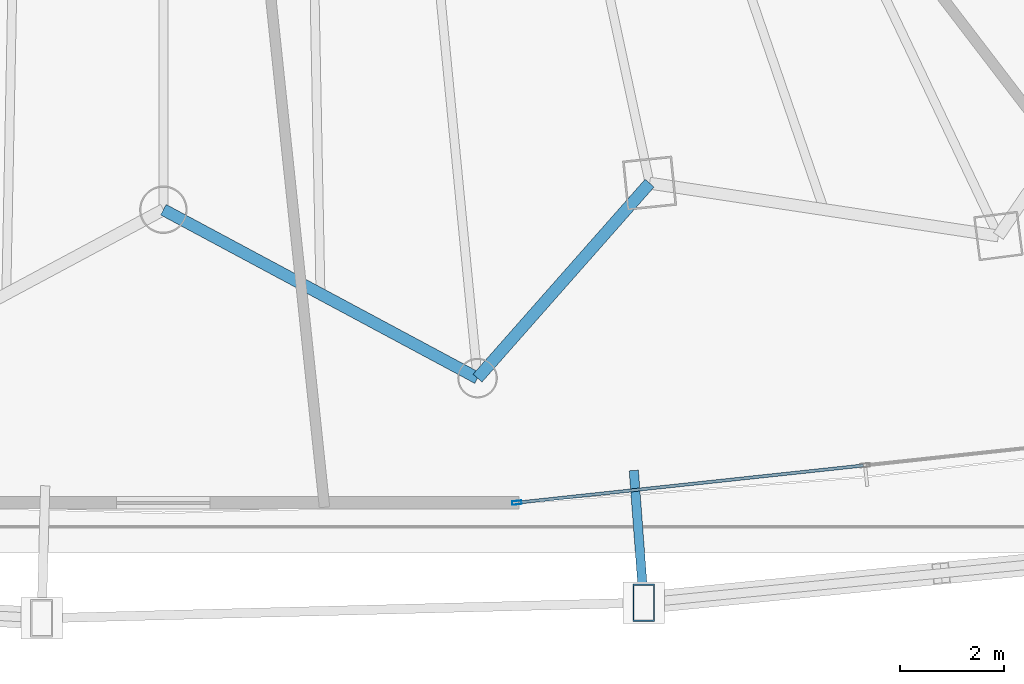
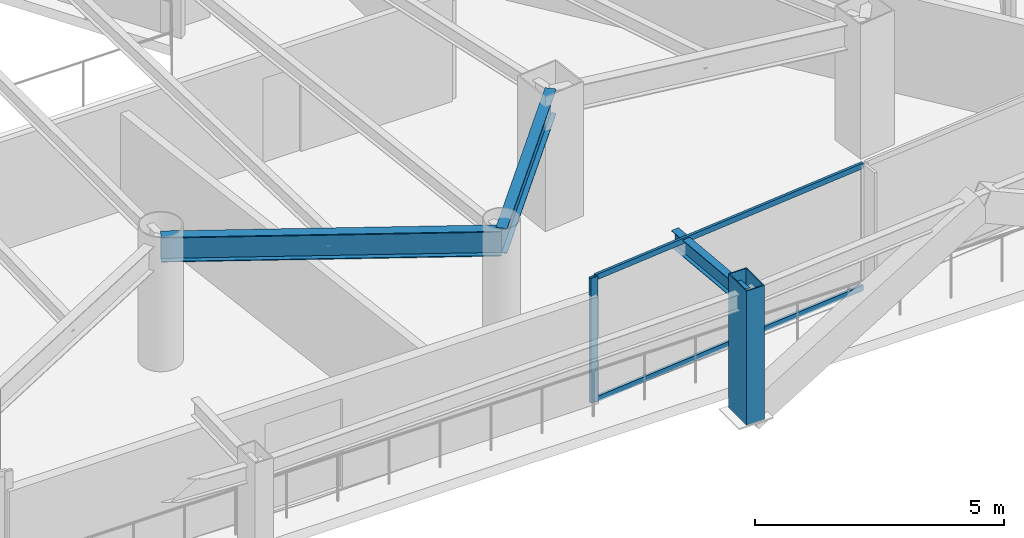
# One storey, part 12 of 36: 4 members, 3 beams, 1 element without a shape of its own.
"""IFC4 building model written with IfcOpenShell, lengths in metres."""

from ifc_helpers import new_model, si_unit, direction, frame, origin, origin_2d, place, context, subcontext, project, spatial, hollow_rectangle, i_section, extrude, material, layer, layer_set, material_profile, profile_set, type_object, element, aggregate, save


model = new_model("IFC4")

# Units and contexts
model_context = context("Model", 3, precision=1e-05, world=origin(), true_north=direction((0.0, 1.0)))
body_context = subcontext(model_context, "Body", "Model", "MODEL_VIEW")
ifc_project = project(units=[si_unit("LENGTHUNIT", "METRE"), si_unit("AREAUNIT", "SQUARE_METRE"), si_unit("VOLUMEUNIT", "CUBIC_METRE"), si_unit("PLANEANGLEUNIT", "RADIAN"), si_unit("MASSUNIT", "GRAM", prefix="KILO")], contexts=[model_context])

# Site, building, storey
site_placement = place(None, origin())
site = spatial("IfcSite", under=ifc_project, at=site_placement, CompositionType="ELEMENT")
building_placement = place(site_placement, origin())
building = spatial("IfcBuilding", under=site, at=building_placement, Name="Orvanel Arch Residences", CompositionType="ELEMENT")
storey_placement = place(building_placement, frame((0.0, 0.0, 23.60009765625)))
storey = spatial("IfcBuildingStorey", under=building, at=storey_placement, Name="L05", CompositionType="ELEMENT", Elevation=23.60009765625)

# Member
ifc_material_1 = material(Name="Structural steel AS/NZS 3678 Grade 350", Category="steel")
ifc_material_profile_1 = material_profile(ifc_material_1, hollow_rectangle(XDim=0.419921875, YDim=0.719970703125, WallThickness=0.02490234375, at=origin_2d()), Name="RHS720x420x25")
ifc_profile_set_1 = profile_set([ifc_material_profile_1], Name="Structural steel AS/NZS 3678 Grade 350")
member_type_1 = type_object("IfcMemberType", Name="CH-720RHS-EXT", PredefinedType="CHORD", material=ifc_profile_set_1)
member_1_placement = place(storey_placement, frame((42.239013671875, -0.714111328125, 0.0), z_axis=(0.0, 0.0, 1.0), x_axis=(1.0, 0.0, 0.0)))
element("IfcMember", 1, at=member_1_placement, inside=storey, type_object=member_type_1, Name="L05 Outer Perimeter Frame Post 07", PredefinedType="CHORD", context=body_context, shape_type="SweptSolid", body=[
    extrude(hollow_rectangle(XDim=0.419921875, YDim=0.719970703125, WallThickness=0.02490234375, at=origin_2d()), origin(), (0.0, 0.0, 1.0), 3.2998046875),
])

# Curtain wall, member
ifc_material_2 = material(Name="Bronze-anodised aluminium AA6063-T6", Category="aluminium")
ifc_layer = layer(ifc_material_2, 0.179931640625)
ifc_layer_set = layer_set([ifc_layer], Name="Bronze-anodised aluminium AA6063-T6")
curtain_wall_type = type_object("IfcCurtainWallType", Name="CW2-LOW-SYS", PredefinedType="NOTDEFINED", material=ifc_layer_set)
curtain_wall_placement = place(storey_placement, origin())
curtain_wall = element("IfcCurtainWall", 2, at=curtain_wall_placement, inside=storey, type_object=curtain_wall_type, Name="L05 CW2-LOW-SYS Unitised Curtain Wall", PredefinedType="NOTDEFINED")
ifc_material_profile_2 = material_profile(ifc_material_2, hollow_rectangle(XDim=0.070068359375, YDim=0.179931640625, WallThickness=0.00439453125, at=origin_2d()), Name="ALU180x70x4.5")
ifc_profile_set_2 = profile_set([ifc_material_profile_2], Name="Bronze-anodised aluminium AA6063-T6")
member_type_2 = type_object("IfcMemberType", Name="MUL-180x70", PredefinedType="MULLION", material=ifc_profile_set_2)
member_2_placement = place(storey_placement, frame((39.798828125, 1.209716796875, 0.0), z_axis=(0.0, 0.0, 1.0), x_axis=(-0.106701765481, 0.994291070685, 0.0)))
member_2 = element("IfcMember", 3, at=member_2_placement, type_object=member_type_2, Name="CW-S2 mullion 1", PredefinedType="MULLION", context=body_context, shape_type="SweptSolid", body=[
    extrude(hollow_rectangle(XDim=0.070068359375, YDim=0.179931640625, WallThickness=0.00439453125, at=origin_2d()), origin(), (0.0, 0.0, 1.0), 3.059814453125),
])

# Beams
ifc_material_3 = material(Name="Structural steel AS/NZS 3679.1 Grade 300 (300 MPa)", Category="steel")
ifc_material_profile_3 = material_profile(ifc_material_3, i_section(OverallWidth=0.177978515625, OverallDepth=0.406005859375, WebThickness=0.0078125, FlangeThickness=0.0126953125, at=origin_2d()), Name="410UB59.7")
ifc_profile_set_3 = profile_set([ifc_material_profile_3], Name="Structural steel AS/NZS 3679.1 Grade 300 (300 MPa)")
beam_type_1 = type_object("IfcBeamType", Name="OB-410UB-EXT", PredefinedType="SPANDREL", material=ifc_profile_set_3)
beam_1_placement = place(storey_placement, frame((42.047119140625, 1.8291015625, 2.85693359375), z_axis=(0.075239710465, -0.997165475721, 0.0), x_axis=(0.997165475721, 0.075239710465, 0.0)))
element("IfcBeam", 4, at=beam_1_placement, inside=storey, type_object=beam_type_1, Name="L05 Outer Frame Radial Tie Beam 07", PredefinedType="SPANDREL", context=body_context, shape_type="SweptSolid", body=[
    extrude(i_section(OverallWidth=0.177978515625, OverallDepth=0.406005859375, WebThickness=0.0078125, FlangeThickness=0.0126953125, at=origin_2d()), origin(), (0.0, 0.0, 1.0), 2.550537109375),
])
ifc_material_profile_4 = material_profile(ifc_material_3, i_section(OverallWidth=0.22900390625, OverallDepth=0.612060546875, WebThickness=0.011962890625, FlangeThickness=0.01953125, at=origin_2d()), Name="610UB125")
ifc_profile_set_4 = profile_set([ifc_material_profile_4], Name="Structural steel AS/NZS 3679.1 Grade 300 (300 MPa)")
beam_type_2 = type_object("IfcBeamType", Name="SP-610UB", PredefinedType="SPANDREL", material=ifc_profile_set_4)
beam_2_placement = place(storey_placement, frame((33.0, 6.843994140625, 2.75390625), z_axis=(0.881344400551, -0.472474388319, 0.0), x_axis=(0.472474388319, 0.881344400551, 0.0)))
element("IfcBeam", 5, at=beam_2_placement, inside=storey, type_object=beam_type_2, Name="L05 Perimeter Spandrel Beam 07", PredefinedType="SPANDREL", context=body_context, shape_type="SweptSolid", body=[
    extrude(i_section(OverallWidth=0.22900390625, OverallDepth=0.612060546875, WebThickness=0.011962890625, FlangeThickness=0.01953125, at=origin_2d()), origin(), (0.0, 0.0, 1.0), 6.85546875),
])
beam_3_placement = place(storey_placement, frame((39.0419921875, 3.60498046875, 2.75390625), z_axis=(0.661650698195, 0.749812212209, 0.0), x_axis=(-0.749812212209, 0.661650698195, 0.0)))
element("IfcBeam", 6, at=beam_3_placement, inside=storey, type_object=beam_type_2, Name="L05 Perimeter Spandrel Beam 08", PredefinedType="SPANDREL", context=body_context, shape_type="SweptSolid", body=[
    extrude(i_section(OverallWidth=0.22900390625, OverallDepth=0.612060546875, WebThickness=0.011962890625, FlangeThickness=0.01953125, at=origin_2d()), origin(), (0.0, 0.0, 1.0), 5.001220703125),
])

# Member
ifc_material_profile_5 = material_profile(ifc_material_2, hollow_rectangle(XDim=0.06005859375, YDim=0.135009765625, WallThickness=0.00390625, at=origin_2d()), Name="ALU135x60x4")
ifc_profile_set_5 = profile_set([ifc_material_profile_5], Name="Bronze-anodised aluminium AA6063-T6")
member_type_3 = type_object("IfcMemberType", Name="TRN-135x60", PredefinedType="USERDEFINED", material=ifc_profile_set_5)
member_3_placement = place(storey_placement, frame((39.83349609375, 1.21337890625, 0.02978515625), z_axis=(0.994290430162, 0.106707733967, 0.0), x_axis=(-0.106707733967, 0.994290430162, 0.0)))
member_3 = element("IfcMember", 7, at=member_3_placement, type_object=member_type_3, Name="CW-S2 transom 1.1", ObjectType="TRANSOM", PredefinedType="USERDEFINED", context=body_context, shape_type="SweptSolid", body=[
    extrude(hollow_rectangle(XDim=0.06005859375, YDim=0.135009765625, WallThickness=0.00390625, at=origin_2d()), origin(), (0.0, 0.0, 1.0), 6.664794921875),
])

member_4_placement = place(storey_placement, frame((39.83349609375, 1.21337890625, 3.02978515625), z_axis=(0.994290430162, 0.106707733967, 0.0), x_axis=(-0.106707733967, 0.994290430162, 0.0)))
member_4 = element("IfcMember", 8, at=member_4_placement, type_object=member_type_3, Name="CW-S2 transom 1.2", ObjectType="TRANSOM", PredefinedType="USERDEFINED", context=body_context, shape_type="SweptSolid", body=[
    extrude(hollow_rectangle(XDim=0.06005859375, YDim=0.135009765625, WallThickness=0.00390625, at=origin_2d()), origin(), (0.0, 0.0, 1.0), 6.664794921875),
])

aggregate(curtain_wall, [member_2, member_3, member_4])

save(model, "model.ifc")
